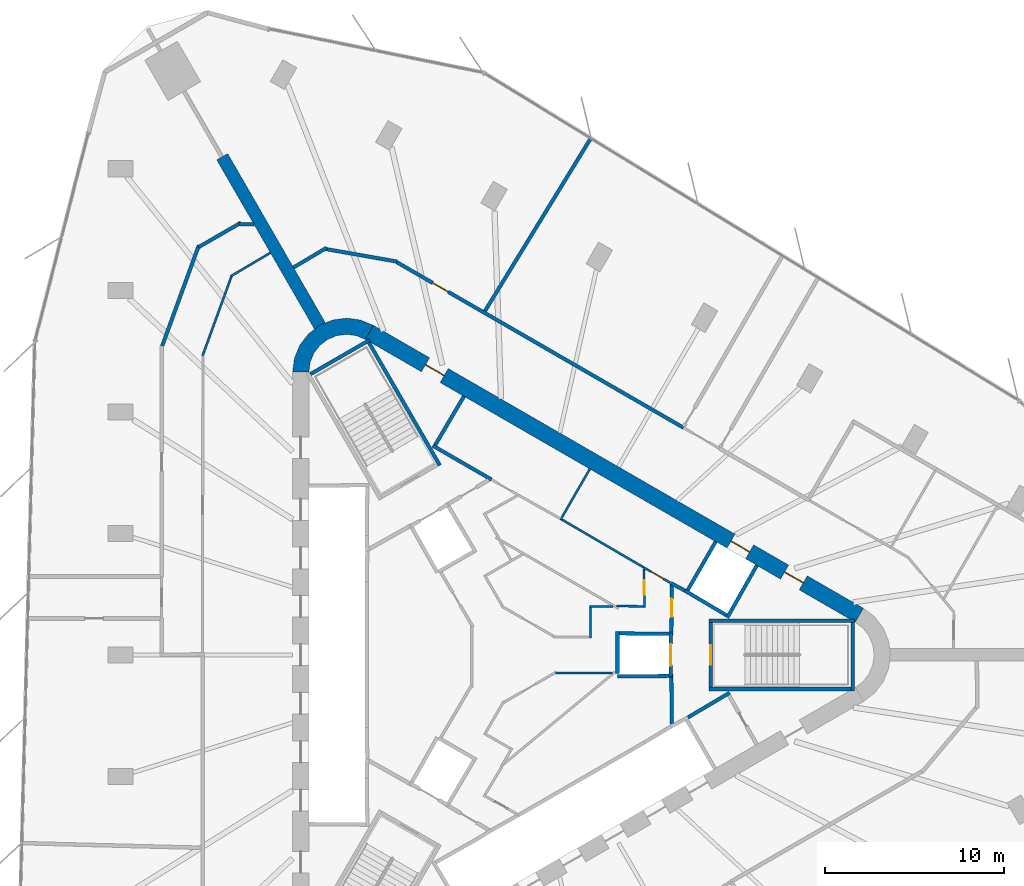
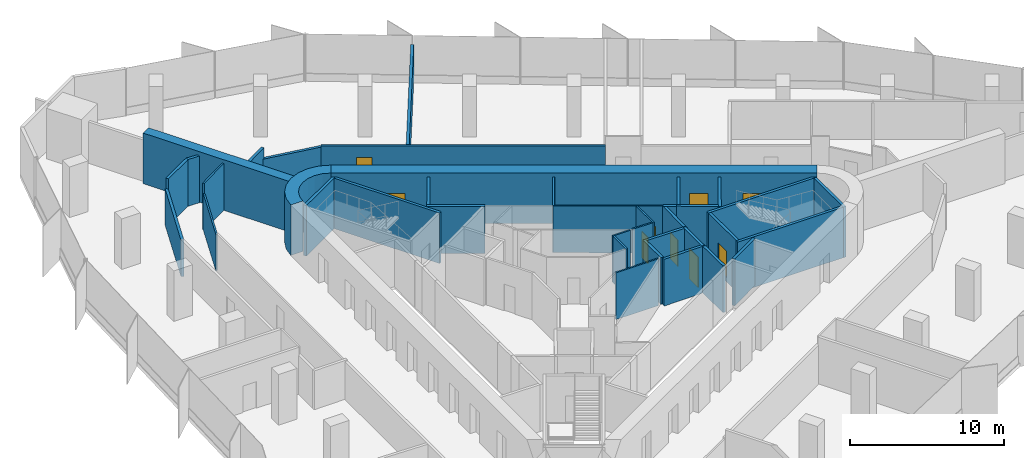
# One storey, part 11 of 14: 39 walls, 9 doors, 9 openings.
"""IFC4 building model written with IfcOpenShell, lengths in metres."""

from ifc_helpers import new_model, si_unit, direction, frame, frame_2d, origin, place, context, subcontext, project, spatial, polyline, rectangle, outline, extrude, material, layer, layer_set, type_object, element, fill, save


model = new_model("IFC4")

# Units and contexts
model_context = context("Model", 3, precision=1e-05, world=origin(), true_north=direction((0.0, 1.0)))
body_context = subcontext(model_context, "Body", "Model", "MODEL_VIEW")
ifc_project = project(units=[si_unit("LENGTHUNIT", "METRE"), si_unit("AREAUNIT", "SQUARE_METRE"), si_unit("VOLUMEUNIT", "CUBIC_METRE"), si_unit("PLANEANGLEUNIT", "RADIAN"), si_unit("MASSUNIT", "GRAM", prefix="KILO")], contexts=[model_context])

# Site, building, storey
site_placement = place(None, origin())
site = spatial("IfcSite", under=ifc_project, at=site_placement, CompositionType="ELEMENT")
building_placement = place(site_placement, origin())
building = spatial("IfcBuilding", under=site, at=building_placement, Name="Tanit Gate Tower", CompositionType="ELEMENT")
storey_placement = place(building_placement, frame((0.0, 0.0, 245.199951171875)))
storey = spatial("IfcBuildingStorey", under=building, at=storey_placement, Name="L55", CompositionType="ELEMENT", Elevation=245.199951171875)

# Wall
ifc_material_1 = material(Name="Concrete C50/60", Category="concrete")
ifc_layer_1 = layer(ifc_material_1, 0.699951171875)
ifc_layer_set_1 = layer_set([ifc_layer_1], Name="BUTTRESS FIN 700 C50/60")
wall_type_1 = type_object("IfcWallType", Name="BUTTRESS FIN 700 C50/60", PredefinedType="SHEAR", material=ifc_layer_set_1)
wall_1_placement = place(storey_placement, frame((-10.574951171875, 18.31640625, 0.0), z_axis=(0.0, 0.0, 1.0), x_axis=(-0.500002931134, 0.866023711487, 0.0)))
element("IfcWall", 1, at=wall_1_placement, inside=storey, type_object=wall_type_1, Name="BUTTRESS FIN", PredefinedType="SHEAR", context=body_context, shape_type="SweptSolid", body=[
    extrude(rectangle(XDim=10.900390625, YDim=0.699951171875, at=frame_2d((5.4501953125, 0.0))), origin(), (0.0, 0.0, 1.0), 4.0),
])

# Wall, openings, doors
ifc_material_2 = material(Name="Concrete C50/60", Category="concrete")
ifc_layer_2 = layer(ifc_material_2, 0.89990234375)
ifc_layer_set_2 = layer_set([ifc_layer_2], Name="CORE WALL 900 C50/60")
wall_type_2 = type_object("IfcWallType", Name="CORE WALL 900 C50/60", PredefinedType="SHEAR", material=ifc_layer_set_2)
wall_2_placement = place(storey_placement, frame((19.47509765625, 2.20849609375, 0.0), z_axis=(0.0, 0.0, 1.0), x_axis=(-0.866028369851, 0.499994862586, 0.0)))
wall_2 = element("IfcWall", 2, at=wall_2_placement, inside=storey, type_object=wall_type_2, Name="CORE WALL", PredefinedType="SHEAR", context=body_context, shape_type="SweptSolid", body=[
    extrude(rectangle(XDim=31.523193359375, YDim=0.89990234375, at=frame_2d((15.76171875, 0.0))), origin(), (0.0, 0.0, 1.0), 4.0),
])
opening_1_placement = place(wall_2_placement, frame((7.0615234375, 0.0, 0.0)))
opening_1 = element("IfcOpeningElement", 3, at=opening_1_placement, cuts=wall_2, Name="Opening LDML8-S15", PredefinedType="OPENING", context=body_context, shape_type="SweptSolid", body=[
    extrude(rectangle(XDim=1.199951171875, YDim=2.39990234375, at=frame_2d((0.60009765625, 1.199951171875))), frame((0.0, 0.4599609375, 0.0), z_axis=(0.0, -1.0, 0.0), x_axis=(1.0, 0.0, 0.0)), (0.0, 0.0, 1.0), 0.919921875),
])
opening_2_placement = place(wall_2_placement, frame((3.611572265625, 0.0, 0.0)))
opening_2 = element("IfcOpeningElement", 4, at=opening_2_placement, cuts=wall_2, Name="Opening F12-S15-FL1", PredefinedType="OPENING", context=body_context, shape_type="SweptSolid", body=[
    extrude(rectangle(XDim=1.199951171875, YDim=2.39990234375, at=frame_2d((0.60009765625, 1.199951171875))), frame((0.0, 0.4599609375, 0.0), z_axis=(0.0, -1.0, 0.0), x_axis=(1.0, 0.0, 0.0)), (0.0, 0.0, 1.0), 0.919921875),
])
opening_3_placement = place(wall_2_placement, frame((26.711669921875, 0.0, 0.0)))
opening_3 = element("IfcOpeningElement", 5, at=opening_3_placement, cuts=wall_2, Name="Opening F12-S15-S2", PredefinedType="OPENING", context=body_context, shape_type="SweptSolid", body=[
    extrude(rectangle(XDim=1.199951171875, YDim=2.39990234375, at=frame_2d((0.60009765625, 1.199951171875))), frame((0.0, 0.4599609375, 0.0), z_axis=(0.0, -1.0, 0.0), x_axis=(1.0, 0.0, 0.0)), (0.0, 0.0, 1.0), 0.919921875),
])
ifc_material_3 = material(Name="Fire-rated steel door leaf", Category="steel")
door_type_1 = type_object("IfcDoorType", Name="INT-DOOR-FIRE-LOBBY-1200", OperationType="NOTDEFINED", PredefinedType="USERDEFINED", material=ifc_material_3)
door_1_placement = place(opening_2_placement, origin())
door_1 = element("IfcDoor", 6, at=door_1_placement, inside=storey, type_object=door_type_1, Name="Door F12-S15-FL1", ObjectType="FIRE DOOR", OperationType="SINGLE_SWING_LEFT", OverallHeight=2.39990234375, OverallWidth=1.199951171875, PredefinedType="USERDEFINED", context=body_context, shape_type="SweptSolid", body=[
    extrude(rectangle(XDim=1.199951171875, YDim=2.39990234375, at=frame_2d((0.60009765625, 1.199951171875))), frame((0.0, 0.02490234375, 0.0), z_axis=(0.0, -1.0, 0.0), x_axis=(1.0, 0.0, 0.0)), (0.0, 0.0, 1.0), 0.050048828125),
])
fill(opening_2, door_1)
door_2_placement = place(opening_3_placement, origin())
door_2 = element("IfcDoor", 7, at=door_2_placement, inside=storey, type_object=door_type_1, Name="Door F12-S15-S2", ObjectType="FIRE DOOR", OperationType="SINGLE_SWING_LEFT", OverallHeight=2.39990234375, OverallWidth=1.199951171875, PredefinedType="USERDEFINED", context=body_context, shape_type="SweptSolid", body=[
    extrude(rectangle(XDim=1.199951171875, YDim=2.39990234375, at=frame_2d((0.60009765625, 1.199951171875))), frame((0.0, 0.02490234375, 0.0), z_axis=(0.0, -1.0, 0.0), x_axis=(1.0, 0.0, 0.0)), (0.0, 0.0, 1.0), 0.050048828125),
])
fill(opening_3, door_2)
ifc_material_4 = material(Name="Stainless steel sliding door leaf", Category="steel")
door_type_2 = type_object("IfcDoorType", Name="INT-DOOR-LANDING-1200", OperationType="NOTDEFINED", PredefinedType="USERDEFINED", material=ifc_material_4)
door_3_placement = place(opening_1_placement, origin())
door_3 = element("IfcDoor", 8, at=door_3_placement, inside=storey, type_object=door_type_2, Name="Door LDML8-S15", ObjectType="LANDING DOOR", OperationType="SLIDING_TO_LEFT", OverallHeight=2.39990234375, OverallWidth=1.199951171875, PredefinedType="USERDEFINED", context=body_context, shape_type="SweptSolid", body=[
    extrude(rectangle(XDim=1.199951171875, YDim=2.39990234375, at=frame_2d((0.60009765625, 1.199951171875))), frame((0.0, 0.02490234375, 0.0), z_axis=(0.0, -1.0, 0.0), x_axis=(1.0, 0.0, 0.0)), (0.0, 0.0, 1.0), 0.050048828125),
])
fill(opening_1, door_3)

# Walls
wall_3_placement = place(storey_placement, origin())
element("IfcWall", 9, at=wall_3_placement, inside=storey, type_object=wall_type_2, Name="CORE WALL CORNER", PredefinedType="SHEAR", context=body_context, shape_type="SweptSolid", body=[
    extrude(outline(polyline([(-7.60009765625, 18.359619140625), (-8.323486328125, 18.659423828125), (-9.10009765625, 18.76171875), (-9.87646484375, 18.659423828125), (-10.60009765625, 18.359619140625), (-11.22119140625, 17.883056640625), (-11.697998046875, 17.26171875), (-11.997802734375, 16.5380859375), (-12.10009765625, 15.76171875), (-11.199951171875, 15.76171875), (-11.12841796875, 16.30517578125), (-10.918701171875, 16.811767578125), (-10.5849609375, 17.24658203125), (-10.14990234375, 17.580322265625), (-9.6435546875, 17.7900390625), (-9.10009765625, 17.86181640625), (-8.556396484375, 17.7900390625), (-8.050048828125, 17.580322265625), (-7.60009765625, 18.359619140625)])), origin(), (0.0, 0.0, 1.0), 4.0),
])
ifc_material_5 = material(Name="Fire-rated gypsum board partition")
ifc_layer_3 = layer(ifc_material_5, 0.199951171875)
ifc_layer_set_3 = layer_set([ifc_layer_3], Name="INT-WALL-COMPARTMENT")
wall_type_3 = type_object("IfcWallType", Name="INT-WALL-COMPARTMENT", PredefinedType="PARTITIONING", material=ifc_layer_set_3)
wall_4_placement = place(storey_placement, frame((8.97412109375, 3.998779296875, 0.0), z_axis=(0.0, 0.0, 1.0), x_axis=(0.880917147855, -0.473270513147, 0.0)))
element("IfcWall", 10, at=wall_4_placement, inside=storey, type_object=wall_type_3, Name="Wall Compartment W050", PredefinedType="PARTITIONING", context=body_context, shape_type="SweptSolid", body=[
    extrude(rectangle(XDim=0.8779296875, YDim=0.199951171875, at=frame_2d((0.43896484375, 0.0))), origin(), (0.0, 0.0, 1.0), 3.699951171875),
])
wall_5_placement = place(storey_placement, frame((-4.295654296875, 11.659912109375, 0.0), z_axis=(0.0, 0.0, 1.0), x_axis=(0.866027389382, -0.499996560828, 0.0)))
element("IfcWall", 11, at=wall_5_placement, inside=storey, type_object=wall_type_3, Name="Wall Compartment W053", PredefinedType="PARTITIONING", context=body_context, shape_type="SweptSolid", body=[
    extrude(rectangle(XDim=3.77783203125, YDim=0.199951171875, at=frame_2d((1.888916015625, 0.0))), origin(), (0.0, 0.0, 1.0), 3.699951171875),
])
wall_6_placement = place(storey_placement, frame((-2.557861328125, 14.409423828125, 0.0), z_axis=(0.0, 0.0, 1.0), x_axis=(-0.508018930956, -0.861345903683, 0.0)))
element("IfcWall", 12, at=wall_6_placement, inside=storey, type_object=wall_type_3, Name="Wall Compartment W054", PredefinedType="PARTITIONING", context=body_context, shape_type="SweptSolid", body=[
    extrude(rectangle(XDim=3.150146484375, YDim=0.199951171875, at=frame_2d((1.5751953125, 0.0))), origin(), (0.0, 0.0, 1.0), 3.699951171875),
])
wall_7_placement = place(storey_placement, frame((12.244873046875, -2.10888671875, 0.0), z_axis=(0.0, 0.0, 1.0), x_axis=(-0.860414880418, -0.509594185166, 0.0)))
element("IfcWall", 13, at=wall_7_placement, inside=storey, type_object=wall_type_3, Name="Wall Compartment W057", PredefinedType="PARTITIONING", context=body_context, shape_type="SweptSolid", body=[
    extrude(rectangle(XDim=2.7001953125, YDim=0.199951171875, at=frame_2d((1.35009765625, 0.0))), origin(), (0.0, 0.0, 1.0), 3.699951171875),
])
wall_8_placement = place(storey_placement, frame((9.02880859375, -3.8505859375, 0.0), z_axis=(0.0, 0.0, 1.0), x_axis=(-0.010784614026, 0.999941844359, 0.0)))
element("IfcWall", 14, at=wall_8_placement, inside=storey, type_object=wall_type_3, Name="Wall Compartment W059", PredefinedType="PARTITIONING", context=body_context, shape_type="SweptSolid", body=[
    extrude(rectangle(XDim=2.580810546875, YDim=0.199951171875, at=frame_2d((1.29052734375, 0.0))), origin(), (0.0, 0.0, 1.0), 3.699951171875),
])

# Wall, opening, door
wall_9_placement = place(storey_placement, frame((9.0009765625, 1.27001953125, 0.0), z_axis=(0.0, 0.0, 1.0), x_axis=(0.010723968736, 0.999942496594, 0.0)))
wall_9 = element("IfcWall", 15, at=wall_9_placement, inside=storey, type_object=wall_type_3, Name="Wall Compartment W060", PredefinedType="PARTITIONING", context=body_context, shape_type="SweptSolid", body=[
    extrude(rectangle(XDim=2.709228515625, YDim=0.199951171875, at=frame_2d((1.3544921875, 0.0))), origin(), (0.0, 0.0, 1.0), 3.699951171875),
])
opening_4_placement = place(wall_9_placement, frame((0.848388671875, 0.0, 0.0)))
opening_4 = element("IfcOpeningElement", 16, at=opening_4_placement, cuts=wall_9, Name="Opening F10-S15-02", PredefinedType="OPENING", context=body_context, shape_type="SweptSolid", body=[
    extrude(rectangle(XDim=1.0, YDim=2.10009765625, at=frame_2d((0.5, 1.050048828125))), frame((0.0, 0.10986328125, 0.0), z_axis=(0.0, -1.0, 0.0), x_axis=(1.0, 0.0, 0.0)), (0.0, 0.0, 1.0), 0.219970703125),
])
ifc_material_6 = material(Name="Fire-rated steel door leaf", Category="steel")
door_type_3 = type_object("IfcDoorType", Name="INT-DOOR-FIRE-1000", OperationType="NOTDEFINED", PredefinedType="USERDEFINED", material=ifc_material_6)
door_4_placement = place(opening_4_placement, origin())
door_4 = element("IfcDoor", 17, at=door_4_placement, inside=storey, type_object=door_type_3, Name="Door F10-S15-02", ObjectType="FIRE DOOR", OperationType="SINGLE_SWING_RIGHT", OverallHeight=2.10009765625, OverallWidth=1.0, PredefinedType="USERDEFINED", context=body_context, shape_type="SweptSolid", body=[
    extrude(rectangle(XDim=1.0, YDim=2.10009765625, at=frame_2d((0.5, 1.050048828125))), frame((0.0, 0.02490234375, 0.0), z_axis=(0.0, -1.0, 0.0), x_axis=(1.0, 0.0, 0.0)), (0.0, 0.0, 1.0), 0.050048828125),
])
fill(opening_4, door_4)

# Walls
wall_10_placement = place(storey_placement, frame((-17.33056640625, 22.81396484375, 0.0), z_axis=(0.0, 0.0, 1.0), x_axis=(-0.342006584993, -0.939697555505, 0.0)))
element("IfcWall", 18, at=wall_10_placement, inside=storey, type_object=wall_type_3, Name="Wall Compartment W095", PredefinedType="PARTITIONING", context=body_context, shape_type="SweptSolid", body=[
    extrude(rectangle(XDim=5.95068359375, YDim=0.199951171875, at=frame_2d((2.975341796875, 0.0))), origin(), (0.0, 0.0, 1.0), 2.880126953125),
])
wall_11_placement = place(storey_placement, frame((-14.97998046875, 24.082763671875, 0.0), z_axis=(0.0, 0.0, 1.0), x_axis=(-0.866008795918, -0.500028764566, 0.0)))
element("IfcWall", 19, at=wall_11_placement, inside=storey, type_object=wall_type_3, Name="Wall Compartment W096", PredefinedType="PARTITIONING", context=body_context, shape_type="SweptSolid", body=[
    extrude(rectangle(XDim=2.713623046875, YDim=0.199951171875, at=frame_2d((1.35693359375, 0.0))), origin(), (0.0, 0.0, 1.0), 3.699951171875),
])
wall_12_placement = place(storey_placement, frame((-14.250244140625, 23.982421875, 0.0), z_axis=(0.0, 0.0, 1.0), x_axis=(-0.999799129767, 0.02004245786, 0.0)))
element("IfcWall", 20, at=wall_12_placement, inside=storey, type_object=wall_type_3, Name="Wall Compartment W097", PredefinedType="PARTITIONING", context=body_context, shape_type="SweptSolid", body=[
    extrude(rectangle(XDim=0.840576171875, YDim=0.199951171875, at=frame_2d((0.42041015625, 0.0))), origin(), (0.0, 0.0, 1.0), 3.699951171875),
])
wall_13_placement = place(storey_placement, frame((-10.209716796875, 22.681396484375, 0.0), z_axis=(0.0, 0.0, 1.0), x_axis=(-0.859700405816, -0.510798602425, 0.0)))
element("IfcWall", 21, at=wall_13_placement, inside=storey, type_object=wall_type_3, Name="Wall Compartment W103", PredefinedType="PARTITIONING", context=body_context, shape_type="SweptSolid", body=[
    extrude(rectangle(XDim=2.14892578125, YDim=0.199951171875, at=frame_2d((1.074462890625, 0.0))), origin(), (0.0, 0.0, 1.0), 3.699951171875),
])
wall_14_placement = place(storey_placement, frame((-6.28515625, 21.91259765625, 0.0), z_axis=(0.0, 0.0, 1.0), x_axis=(-0.984806073034, 0.173657705026, 0.0)))
element("IfcWall", 22, at=wall_14_placement, inside=storey, type_object=wall_type_3, Name="Wall Compartment W104", PredefinedType="PARTITIONING", context=body_context, shape_type="SweptSolid", body=[
    extrude(rectangle(XDim=4.03759765625, YDim=0.199951171875, at=frame_2d((2.018798828125, 0.0))), origin(), (0.0, 0.0, 1.0), 2.880126953125),
])

# Wall, opening, door
wall_15_placement = place(storey_placement, frame((9.67529296875, 12.658203125, 0.0), z_axis=(0.0, 0.0, 1.0), x_axis=(-0.866025327327, 0.500000132428, 0.0)))
wall_15 = element("IfcWall", 23, at=wall_15_placement, inside=storey, type_object=wall_type_3, Name="Wall Compartment W106", PredefinedType="PARTITIONING", context=body_context, shape_type="SweptSolid", body=[
    extrude(rectangle(XDim=18.443359375, YDim=0.199951171875, at=frame_2d((9.2216796875, 0.0))), origin(), (0.0, 0.0, 1.0), 2.97998046875),
])
opening_5_placement = place(wall_15_placement, frame((15.1376953125, 0.0, 0.0)))
opening_5 = element("IfcOpeningElement", 24, at=opening_5_placement, cuts=wall_15, Name="Opening F10-S15-34", PredefinedType="OPENING", context=body_context, shape_type="SweptSolid", body=[
    extrude(rectangle(XDim=1.0, YDim=2.10009765625, at=frame_2d((0.5, 1.050048828125))), frame((0.0, 0.10986328125, 0.0), z_axis=(0.0, -1.0, 0.0), x_axis=(1.0, 0.0, 0.0)), (0.0, 0.0, 1.0), 0.219970703125),
])
door_5_placement = place(opening_5_placement, origin())
door_5 = element("IfcDoor", 25, at=door_5_placement, inside=storey, type_object=door_type_3, Name="Door F10-S15-34", ObjectType="FIRE DOOR", OperationType="SINGLE_SWING_RIGHT", OverallHeight=2.10009765625, OverallWidth=1.0, PredefinedType="USERDEFINED", context=body_context, shape_type="SweptSolid", body=[
    extrude(rectangle(XDim=1.0, YDim=2.10009765625, at=frame_2d((0.5, 1.050048828125))), frame((0.0, 0.02490234375, 0.0), z_axis=(0.0, -1.0, 0.0), x_axis=(1.0, 0.0, 0.0)), (0.0, 0.0, 1.0), 0.050048828125),
])
fill(opening_5, door_5)

# Walls
wall_16_placement = place(storey_placement, frame((-1.38525390625, 19.15966796875, 0.0), z_axis=(0.0, 0.0, 1.0), x_axis=(0.522271376538, 0.852779343822, 0.0)))
element("IfcWall", 26, at=wall_16_placement, inside=storey, type_object=wall_type_3, Name="Wall Compartment W133", PredefinedType="PARTITIONING", context=body_context, shape_type="SweptSolid", body=[
    extrude(rectangle(XDim=11.286376953125, YDim=0.199951171875, at=frame_2d((5.64306640625, 0.0))), origin(), (0.0, 0.0, 1.0), 2.97998046875),
])
ifc_material_7 = material(Name="Gypsum board partition")
ifc_layer_4 = layer(ifc_material_7, 0.1201171875)
ifc_layer_set_4 = layer_set([ifc_layer_4], Name="INT-WALL-PARTITION")
wall_type_4 = type_object("IfcWallType", Name="INT-WALL-PARTITION", PredefinedType="PARTITIONING", material=ifc_layer_set_4)
wall_17_placement = place(storey_placement, frame((4.456787109375, 10.359375, 0.0), z_axis=(0.0, 0.0, 1.0), x_axis=(-0.500017246033, -0.866015446554, 0.0)))
element("IfcWall", 27, at=wall_17_placement, inside=storey, type_object=wall_type_4, Name="Wall Partition W049", PredefinedType="PARTITIONING", context=body_context, shape_type="SweptSolid", body=[
    extrude(rectangle(XDim=3.25, YDim=0.1201171875, at=frame_2d((1.625, 0.0))), origin(), (0.0, 0.0, 1.0), 3.699951171875),
])
wall_18_placement = place(storey_placement, frame((2.82080078125, 7.5859375, 0.0), z_axis=(0.0, 0.0, 1.0), x_axis=(0.863262357411, -0.504755487615, 0.0)))
element("IfcWall", 28, at=wall_18_placement, inside=storey, type_object=wall_type_4, Name="Wall Partition W051", PredefinedType="PARTITIONING", context=body_context, shape_type="SweptSolid", body=[
    extrude(rectangle(XDim=5.370361328125, YDim=0.1201171875, at=frame_2d((2.68505859375, 0.0))), origin(), (0.0, 0.0, 1.0), 3.699951171875),
])

# Wall, opening, door
wall_19_placement = place(storey_placement, frame((7.45654296875, 4.874755859375, 0.0), z_axis=(0.0, 0.0, 1.0), x_axis=(0.866027945518, -0.499995597562, 0.0)))
wall_19 = element("IfcWall", 29, at=wall_19_placement, inside=storey, type_object=wall_type_4, Name="Wall Partition W052", PredefinedType="PARTITIONING", context=body_context, shape_type="SweptSolid", body=[
    extrude(rectangle(XDim=1.7021484375, YDim=0.1201171875, at=frame_2d((0.85107421875, 0.0))), origin(), (0.0, 0.0, 1.0), 3.699951171875),
])
opening_6_placement = place(wall_19_placement, frame((0.461181640625, 0.0, 0.0)))
opening_6 = element("IfcOpeningElement", 30, at=opening_6_placement, cuts=wall_19, Name="Opening R08-S15-15", PredefinedType="OPENING", context=body_context, shape_type="SweptSolid", body=[
    extrude(rectangle(XDim=0.800048828125, YDim=2.10009765625, at=frame_2d((0.39990234375, 1.050048828125))), frame((0.0, 0.070068359375, 0.0), z_axis=(0.0, -1.0, 0.0), x_axis=(1.0, 0.0, 0.0)), (0.0, 0.0, 1.0), 0.14013671875),
])
ifc_material_8 = material(Name="Timber door leaf", Category="wood")
door_type_4 = type_object("IfcDoorType", Name="INT-DOOR-RISER-800", OperationType="NOTDEFINED", PredefinedType="USERDEFINED", material=ifc_material_8)
door_6_placement = place(opening_6_placement, origin())
door_6 = element("IfcDoor", 31, at=door_6_placement, inside=storey, type_object=door_type_4, Name="Door R08-S15-15", ObjectType="FIRE DOOR", OperationType="SINGLE_SWING_RIGHT", OverallHeight=2.10009765625, OverallWidth=0.800048828125, PredefinedType="USERDEFINED", context=body_context, shape_type="SweptSolid", body=[
    extrude(rectangle(XDim=0.800048828125, YDim=2.10009765625, at=frame_2d((0.39990234375, 1.050048828125))), frame((0.0, 0.02490234375, 0.0), z_axis=(0.0, -1.0, 0.0), x_axis=(1.0, 0.0, 0.0)), (0.0, 0.0, 1.0), 0.050048828125),
])
fill(opening_6, door_6)

# Walls
wall_20_placement = place(storey_placement, frame((5.712646484375, -1.0, 0.0), z_axis=(0.0, 0.0, 1.0), x_axis=(-1.0, 0.0, 0.0)))
element("IfcWall", 32, at=wall_20_placement, inside=storey, type_object=wall_type_4, Name="Wall Partition W073", PredefinedType="PARTITIONING", context=body_context, shape_type="SweptSolid", body=[
    extrude(rectangle(XDim=3.1826171875, YDim=0.1201171875, at=frame_2d((1.59130859375, 0.0))), origin(), (0.0, 0.0, 1.0), 3.699951171875),
])
wall_21_placement = place(storey_placement, frame((4.43994140625, 2.699951171875, 0.0), z_axis=(0.0, 0.0, 1.0), x_axis=(1.0, 0.0, 0.0)))
element("IfcWall", 33, at=wall_21_placement, inside=storey, type_object=wall_type_4, Name="Wall Partition W077", PredefinedType="PARTITIONING", context=body_context, shape_type="SweptSolid", body=[
    extrude(rectangle(XDim=1.301513671875, YDim=0.1201171875, at=frame_2d((0.65087890625, 0.0))), origin(), (0.0, 0.0, 1.0), 3.699951171875),
])
wall_22_placement = place(storey_placement, frame((4.5, 0.93994140625, 0.0), z_axis=(0.0, 0.0, 1.0), x_axis=(0.0, 1.0, 0.0)))
element("IfcWall", 34, at=wall_22_placement, inside=storey, type_object=wall_type_4, Name="Wall Partition W078", PredefinedType="PARTITIONING", context=body_context, shape_type="SweptSolid", body=[
    extrude(rectangle(XDim=1.699951171875, YDim=0.1201171875, at=frame_2d((0.85009765625, 0.0))), origin(), (0.0, 0.0, 1.0), 3.699951171875),
])

# Wall, opening, door
wall_23_placement = place(storey_placement, frame((7.500732421875, 2.639892578125, 0.0), z_axis=(0.0, 0.0, 1.0), x_axis=(-0.01178388431, 0.999930567625, 0.0)))
wall_23 = element("IfcWall", 35, at=wall_23_placement, inside=storey, type_object=wall_type_4, Name="Wall Partition W086", PredefinedType="PARTITIONING", context=body_context, shape_type="SweptSolid", body=[
    extrude(rectangle(XDim=2.15478515625, YDim=0.1201171875, at=frame_2d((1.077392578125, 0.0))), origin(), (0.0, 0.0, 1.0), 3.699951171875),
])
opening_7_placement = place(wall_23_placement, frame((0.707275390625, 0.0, 0.0)))
opening_7 = element("IfcOpeningElement", 36, at=opening_7_placement, cuts=wall_23, Name="Opening R08-S15-14", PredefinedType="OPENING", context=body_context, shape_type="SweptSolid", body=[
    extrude(rectangle(XDim=0.800048828125, YDim=2.10009765625, at=frame_2d((0.39990234375, 1.050048828125))), frame((0.0, 0.070068359375, 0.0), z_axis=(0.0, -1.0, 0.0), x_axis=(1.0, 0.0, 0.0)), (0.0, 0.0, 1.0), 0.14013671875),
])
door_7_placement = place(opening_7_placement, origin())
door_7 = element("IfcDoor", 37, at=door_7_placement, inside=storey, type_object=door_type_4, Name="Door R08-S15-14", ObjectType="FIRE DOOR", OperationType="SINGLE_SWING_LEFT", OverallHeight=2.10009765625, OverallWidth=0.800048828125, PredefinedType="USERDEFINED", context=body_context, shape_type="SweptSolid", body=[
    extrude(rectangle(XDim=0.800048828125, YDim=2.10009765625, at=frame_2d((0.39990234375, 1.050048828125))), frame((0.0, 0.02490234375, 0.0), z_axis=(0.0, -1.0, 0.0), x_axis=(1.0, 0.0, 0.0)), (0.0, 0.0, 1.0), 0.050048828125),
])
fill(opening_7, door_7)

# Walls
wall_24_placement = place(storey_placement, frame((5.93408203125, 2.727294921875, 0.0), z_axis=(0.0, 0.0, 1.0), x_axis=(0.999846739959, -0.017507044085, 0.0)))
element("IfcWall", 38, at=wall_24_placement, inside=storey, type_object=wall_type_4, Name="Wall Partition W087", PredefinedType="PARTITIONING", context=body_context, shape_type="SweptSolid", body=[
    extrude(rectangle(XDim=1.506103515625, YDim=0.1201171875, at=frame_2d((0.7529296875, 0.0))), origin(), (0.0, 0.0, 1.0), 3.699951171875),
])
wall_25_placement = place(storey_placement, frame((-13.33935546875, 22.404541015625, 0.0), z_axis=(0.0, 0.0, 1.0), x_axis=(-0.86070028932, -0.509111983718, 0.0)))
element("IfcWall", 39, at=wall_25_placement, inside=storey, type_object=wall_type_4, Name="Wall Partition W088", PredefinedType="PARTITIONING", context=body_context, shape_type="SweptSolid", body=[
    extrude(rectangle(XDim=2.578857421875, YDim=0.1201171875, at=frame_2d((1.28955078125, 0.0))), origin(), (0.0, 0.0, 1.0), 3.699951171875),
])
wall_26_placement = place(storey_placement, frame((-15.505859375, 21.102783203125, 0.0), z_axis=(0.0, 0.0, 1.0), x_axis=(-0.342017079535, -0.939693735909, 0.0)))
element("IfcWall", 40, at=wall_26_placement, inside=storey, type_object=wall_type_4, Name="Wall Partition W089", PredefinedType="PARTITIONING", context=body_context, shape_type="SweptSolid", body=[
    extrude(rectangle(XDim=4.72119140625, YDim=0.1201171875, at=frame_2d((2.360595703125, 0.0))), origin(), (0.0, 0.0, 1.0), 2.880126953125),
])
ifc_material_9 = material(Name="Gypsum shaft wall system")
ifc_layer_5 = layer(ifc_material_9, 0.199951171875)
ifc_layer_set_5 = layer_set([ifc_layer_5], Name="INT-WALL-SHAFT")
wall_type_5 = type_object("IfcWallType", Name="INT-WALL-SHAFT", PredefinedType="PLUMBINGWALL", material=ifc_layer_set_5)
wall_27_placement = place(storey_placement, frame((9.8466796875, 3.494873046875, 0.0), z_axis=(0.0, 0.0, 1.0), x_axis=(0.499984717929, 0.866034226713, 0.0)))
element("IfcWall", 41, at=wall_27_placement, inside=storey, type_object=wall_type_5, Name="Wall Shaft W012", PredefinedType="PLUMBINGWALL", context=body_context, shape_type="SweptSolid", body=[
    extrude(rectangle(XDim=3.25, YDim=0.199951171875, at=frame_2d((1.625, 0.0))), origin(), (0.0, 0.0, 1.0), 3.699951171875),
])
wall_28_placement = place(storey_placement, frame((12.10986328125, 2.07275390625, 0.0), z_axis=(0.0, 0.0, 1.0), x_axis=(0.49196600604, 0.870614408852, 0.0)))
element("IfcWall", 42, at=wall_28_placement, inside=storey, type_object=wall_type_5, Name="Wall Shaft W013", PredefinedType="PLUMBINGWALL", context=body_context, shape_type="SweptSolid", body=[
    extrude(rectangle(XDim=3.35009765625, YDim=0.199951171875, at=frame_2d((1.675048828125, 0.0))), origin(), (0.0, 0.0, 1.0), 3.699951171875),
])
wall_29_placement = place(storey_placement, frame((12.072998046875, 2.2109375, 0.0), z_axis=(0.0, 0.0, 1.0), x_axis=(-0.860414880418, 0.509594185166, 0.0)))
element("IfcWall", 43, at=wall_29_placement, inside=storey, type_object=wall_type_5, Name="Wall Shaft W014", PredefinedType="PLUMBINGWALL", context=body_context, shape_type="SweptSolid", body=[
    extrude(rectangle(XDim=2.7001953125, YDim=0.199951171875, at=frame_2d((1.35009765625, 0.0))), origin(), (0.0, 0.0, 1.0), 3.699951171875),
])

# Wall, opening, door
wall_30_placement = place(storey_placement, frame((8.969970703125, 1.199951171875, 0.0), z_axis=(0.0, 0.0, 1.0), x_axis=(0.0, -1.0, 0.0)))
wall_30 = element("IfcWall", 44, at=wall_30_placement, inside=storey, type_object=wall_type_5, Name="Wall Shaft W029", PredefinedType="PLUMBINGWALL", context=body_context, shape_type="SweptSolid", body=[
    extrude(rectangle(XDim=2.39990234375, YDim=0.199951171875, at=frame_2d((1.199951171875, 0.0))), origin(), (0.0, 0.0, 1.0), 3.699951171875),
])
opening_8_placement = place(wall_30_placement, frame((0.60009765625, 0.0, 0.0)))
opening_8 = element("IfcOpeningElement", 45, at=opening_8_placement, cuts=wall_30, Name="Opening LDFL1-L55", PredefinedType="OPENING", context=body_context, shape_type="SweptSolid", body=[
    extrude(rectangle(XDim=1.199951171875, YDim=2.39990234375, at=frame_2d((0.60009765625, 1.199951171875))), frame((0.0, 0.10986328125, 0.0), z_axis=(0.0, -1.0, 0.0), x_axis=(1.0, 0.0, 0.0)), (0.0, 0.0, 1.0), 0.219970703125),
])
door_8_placement = place(opening_8_placement, origin())
door_8 = element("IfcDoor", 46, at=door_8_placement, inside=storey, type_object=door_type_2, Name="Door LDFL1-L55", ObjectType="LANDING DOOR", OperationType="SLIDING_TO_LEFT", OverallHeight=2.39990234375, OverallWidth=1.199951171875, PredefinedType="USERDEFINED", context=body_context, shape_type="SweptSolid", body=[
    extrude(rectangle(XDim=1.199951171875, YDim=2.39990234375, at=frame_2d((0.60009765625, 1.199951171875))), frame((0.0, 0.02490234375, 0.0), z_axis=(0.0, -1.0, 0.0), x_axis=(1.0, 0.0, 0.0)), (0.0, 0.0, 1.0), 0.050048828125),
])
fill(opening_8, door_8)

# Walls
wall_31_placement = place(storey_placement, frame((9.10009765625, -1.1689453125, 0.0), z_axis=(0.0, 0.0, 1.0), x_axis=(-0.999949988, -0.010001074852, 0.0)))
element("IfcWall", 47, at=wall_31_placement, inside=storey, type_object=wall_type_5, Name="Wall Shaft W030", PredefinedType="PLUMBINGWALL", context=body_context, shape_type="SweptSolid", body=[
    extrude(rectangle(XDim=3.100341796875, YDim=0.199951171875, at=frame_2d((1.55029296875, 0.0))), origin(), (0.0, 0.0, 1.0), 3.699951171875),
])
wall_32_placement = place(storey_placement, frame((6.0, -1.029541015625, 0.0), z_axis=(0.0, 0.0, 1.0), x_axis=(0.0, 1.0, 0.0)))
element("IfcWall", 48, at=wall_32_placement, inside=storey, type_object=wall_type_5, Name="Wall Shaft W031", PredefinedType="PLUMBINGWALL", context=body_context, shape_type="SweptSolid", body=[
    extrude(rectangle(XDim=2.32958984375, YDim=0.199951171875, at=frame_2d((1.164794921875, 0.0))), origin(), (0.0, 0.0, 1.0), 3.699951171875),
])
wall_33_placement = place(storey_placement, frame((9.10009765625, 1.1689453125, 0.0), z_axis=(0.0, 0.0, 1.0), x_axis=(-0.99994990606, 0.010009264196, 0.0)))
element("IfcWall", 49, at=wall_33_placement, inside=storey, type_object=wall_type_5, Name="Wall Shaft W032", PredefinedType="PLUMBINGWALL", context=body_context, shape_type="SweptSolid", body=[
    extrude(rectangle(XDim=3.000244140625, YDim=0.199951171875, at=frame_2d((1.5, 0.0))), origin(), (0.0, 0.0, 1.0), 3.699951171875),
])
ifc_material_10 = material(Name="Concrete C40/50", Category="concrete")
ifc_layer_6 = layer(ifc_material_10, 0.199951171875)
ifc_layer_set_6 = layer_set([ifc_layer_6], Name="INT-WALL-STAIR")
wall_type_6 = type_object("IfcWallType", Name="INT-WALL-STAIR", PredefinedType="SHEAR", material=ifc_layer_set_6)
wall_34_placement = place(storey_placement, frame((19.199951171875, 1.89990234375, -0.300048828125), z_axis=(0.0, 0.0, 1.0), x_axis=(-1.0, 0.0, 0.0)))
element("IfcWall", 50, at=wall_34_placement, inside=storey, type_object=wall_type_6, Name="Wall Stair W025", PredefinedType="SHEAR", context=body_context, shape_type="SweptSolid", body=[
    extrude(rectangle(XDim=8.099853515625, YDim=0.199951171875, at=frame_2d((4.0498046875, 0.0))), origin(), (0.0, 0.0, 1.0), 4.0),
])
wall_35_placement = place(storey_placement, frame((19.10009765625, -2.0, -0.300048828125), z_axis=(0.0, 0.0, 1.0), x_axis=(0.0, 1.0, 0.0)))
element("IfcWall", 51, at=wall_35_placement, inside=storey, type_object=wall_type_6, Name="Wall Stair W026", PredefinedType="SHEAR", context=body_context, shape_type="SweptSolid", body=[
    extrude(rectangle(XDim=3.800048828125, YDim=0.199951171875, at=frame_2d((1.89990234375, 0.0))), origin(), (0.0, 0.0, 1.0), 4.0),
])
wall_36_placement = place(storey_placement, frame((11.10009765625, -1.89990234375, -0.300048828125), z_axis=(0.0, 0.0, 1.0), x_axis=(1.0, 0.0, 0.0)))
element("IfcWall", 52, at=wall_36_placement, inside=storey, type_object=wall_type_6, Name="Wall Stair W027", PredefinedType="SHEAR", context=body_context, shape_type="SweptSolid", body=[
    extrude(rectangle(XDim=7.89990234375, YDim=0.199951171875, at=frame_2d((3.949951171875, 0.0))), origin(), (0.0, 0.0, 1.0), 4.0),
])

# Wall, opening, door
wall_37_placement = place(storey_placement, frame((11.199951171875, -1.800048828125, -0.300048828125), z_axis=(0.0, 0.0, 1.0), x_axis=(0.0, 1.0, 0.0)))
wall_37 = element("IfcWall", 53, at=wall_37_placement, inside=storey, type_object=wall_type_6, Name="Wall Stair W028", PredefinedType="SHEAR", context=body_context, shape_type="SweptSolid", body=[
    extrude(rectangle(XDim=3.60009765625, YDim=0.199951171875, at=frame_2d((1.800048828125, 0.0))), origin(), (0.0, 0.0, 1.0), 4.0),
])
opening_9_placement = place(wall_37_placement, frame((1.25, 0.0, 0.300048828125)))
opening_9 = element("IfcOpeningElement", 54, at=opening_9_placement, cuts=wall_37, Name="Opening S11-S15-01", PredefinedType="OPENING", context=body_context, shape_type="SweptSolid", body=[
    extrude(rectangle(XDim=1.10009765625, YDim=2.10009765625, at=frame_2d((0.550048828125, 1.050048828125))), frame((0.0, 0.10986328125, 0.0), z_axis=(0.0, -1.0, 0.0), x_axis=(1.0, 0.0, 0.0)), (0.0, 0.0, 1.0), 0.219970703125),
])
ifc_material_11 = material(Name="Timber door leaf", Category="wood")
door_type_5 = type_object("IfcDoorType", Name="INT-DOOR-STAIR-1100", OperationType="NOTDEFINED", PredefinedType="USERDEFINED", material=ifc_material_11)
door_9_placement = place(opening_9_placement, origin())
door_9 = element("IfcDoor", 55, at=door_9_placement, inside=storey, type_object=door_type_5, Name="Door S11-S15-01", ObjectType="FIRE DOOR", OperationType="SINGLE_SWING_RIGHT", OverallHeight=2.10009765625, OverallWidth=1.10009765625, PredefinedType="USERDEFINED", context=body_context, shape_type="SweptSolid", body=[
    extrude(rectangle(XDim=1.10009765625, YDim=2.10009765625, at=frame_2d((0.550048828125, 1.050048828125))), frame((0.0, 0.02490234375, 0.0), z_axis=(0.0, -1.0, 0.0), x_axis=(1.0, 0.0, 0.0)), (0.0, 0.0, 1.0), 0.050048828125),
])
fill(opening_9, door_9)

# Walls
wall_38_placement = place(storey_placement, frame((-7.81787109375, 17.541015625, -0.300048828125), z_axis=(0.0, 0.0, 1.0), x_axis=(-0.866044365799, -0.499967155389, 0.0)))
element("IfcWall", 56, at=wall_38_placement, inside=storey, type_object=wall_type_6, Name="Wall Stair W034", PredefinedType="SHEAR", context=body_context, shape_type="SweptSolid", body=[
    extrude(rectangle(XDim=3.800048828125, YDim=0.199951171875, at=frame_2d((1.89990234375, 0.0))), origin(), (0.0, 0.0, 1.0), 4.0),
])
wall_39_placement = place(storey_placement, frame((-7.8544921875, 17.404541015625, -0.300048828125), z_axis=(0.0, 0.0, 1.0), x_axis=(0.499997992926, -0.866026562566, 0.0)))
element("IfcWall", 57, at=wall_39_placement, inside=storey, type_object=wall_type_6, Name="Wall Stair W035", PredefinedType="SHEAR", context=body_context, shape_type="SweptSolid", body=[
    extrude(rectangle(XDim=7.89990234375, YDim=0.199951171875, at=frame_2d((3.949951171875, 0.0))), origin(), (0.0, 0.0, 1.0), 4.0),
])

save(model, "model.ifc")
